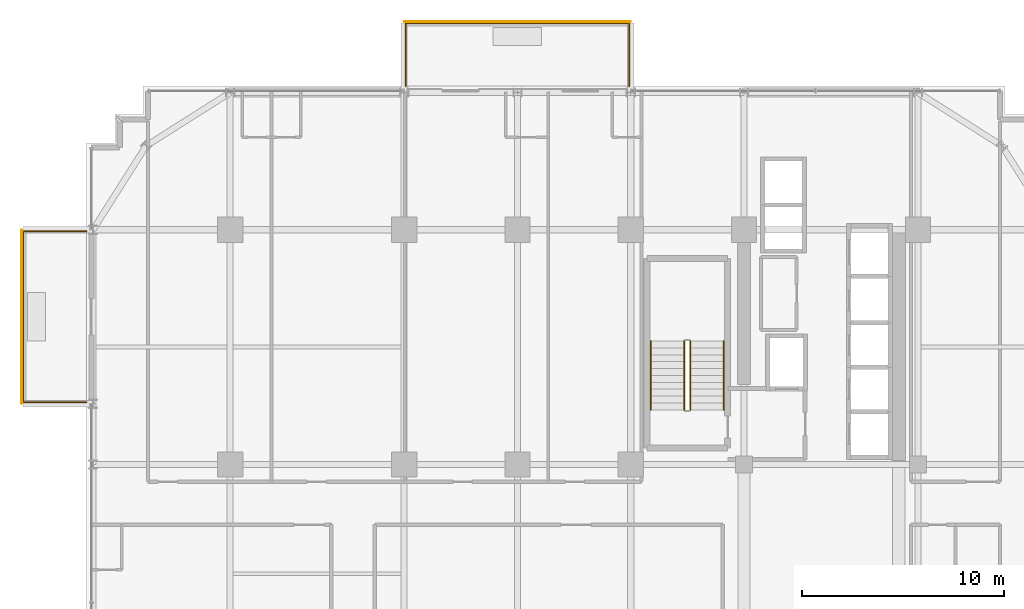
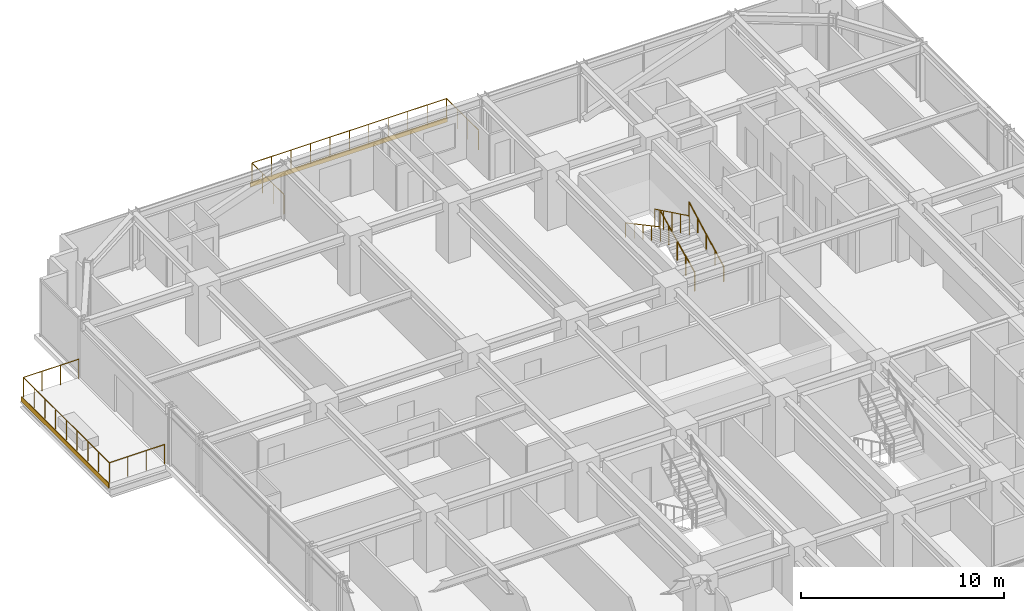
# One storey, part 37 of 39: 6 railings, 2 coverings.
"""IFC4 building model written with IfcOpenShell, lengths in metres."""

from ifc_helpers import new_model, si_unit, direction, frame, origin, origin_2d, place, context, subcontext, project, spatial, rectangle, circle, extrude, source, transform, mapped, material, layer, layer_set, type_object, element, save


model = new_model("IFC4")

# Units and contexts
model_context = context("Model", 3, precision=1e-05, world=origin(), true_north=direction((0.0, 1.0)))
body_context = subcontext(model_context, "Body", "Model", "MODEL_VIEW")
ifc_project = project(units=[si_unit("LENGTHUNIT", "METRE"), si_unit("AREAUNIT", "SQUARE_METRE"), si_unit("VOLUMEUNIT", "CUBIC_METRE"), si_unit("PLANEANGLEUNIT", "RADIAN"), si_unit("MASSUNIT", "GRAM", prefix="KILO")], contexts=[model_context])

# Site, building, storey
site_placement = place(None, origin())
site = spatial("IfcSite", under=ifc_project, at=site_placement, CompositionType="ELEMENT")
building_placement = place(site_placement, origin())
building = spatial("IfcBuilding", under=site, at=building_placement, Name="Nahalor Promenade Grand Hotel", CompositionType="ELEMENT")
storey_placement = place(building_placement, frame((0.0, 0.0, 135.75)))
storey = spatial("IfcBuildingStorey", under=building, at=storey_placement, Name="L34", CompositionType="ELEMENT", Elevation=135.75)

# Railings
ifc_material_1 = material(Name="Anodised Bronze Aluminium EN AW-6063 T6", Category="aluminium")
railing_type_1 = type_object("IfcRailingType", Name="Bronze Balcony Guardrail 1200 mm", PredefinedType="GUARDRAIL", material=ifc_material_1)
railing_1_placement = place(storey_placement, frame((-8.320068359375, 24.10009765625, 0.0)))
element("IfcRailing", 1, at=railing_1_placement, inside=storey, type_object=railing_type_1, Name="L34 Balcony Guardrail 1", PredefinedType="GUARDRAIL", context=body_context, shape_type="SweptSolid", body=[
    extrude(circle(Radius=0.024048, at=origin_2d()), frame((0.0, 0.0, 1.17578125), z_axis=(0.0, 1.0, 0.0), x_axis=(-1.0, 0.0, 0.0)), (0.0, 0.0, 1.0), 3.117919921875),
    extrude(circle(Radius=0.024048, at=origin_2d()), frame((0.001953125, 3.119873046875, 1.17578125), z_axis=(1.0, 0.0, 0.0), x_axis=(0.0, 1.0, 0.0)), (0.0, 0.0, 1.0), 11.0361328125),
    extrude(circle(Radius=0.024048, at=origin_2d()), frame((11.0400390625, 3.117919921875, 1.17578125), z_axis=(0.0, -1.0, 0.0), x_axis=(1.0, 0.0, 0.0)), (0.0, 0.0, 1.0), 3.117919921875),
    extrude(circle(Radius=0.020996, at=origin_2d()), origin(), (0.0, 0.0, 1.0), 1.14990234375),
    extrude(circle(Radius=0.020996, at=origin_2d()), frame((0.0, 1.0400390625, 0.0)), (0.0, 0.0, 1.0), 1.14990234375),
    extrude(circle(Radius=0.020996, at=origin_2d()), frame((0.0, 2.079833984375, 0.0)), (0.0, 0.0, 1.0), 1.14990234375),
    extrude(circle(Radius=0.020996, at=origin_2d()), frame((0.0, 3.119873046875, 0.0)), (0.0, 0.0, 1.0), 1.14990234375),
    extrude(circle(Radius=0.020996, at=origin_2d()), frame((1.10400390625, 3.119873046875, 0.0)), (0.0, 0.0, 1.0), 1.14990234375),
    extrude(circle(Radius=0.020996, at=origin_2d()), frame((2.2080078125, 3.119873046875, 0.0)), (0.0, 0.0, 1.0), 1.14990234375),
    extrude(circle(Radius=0.020996, at=origin_2d()), frame((3.31201171875, 3.119873046875, 0.0)), (0.0, 0.0, 1.0), 1.14990234375),
    extrude(circle(Radius=0.020996, at=origin_2d()), frame((4.416015625, 3.119873046875, 0.0)), (0.0, 0.0, 1.0), 1.14990234375),
    extrude(circle(Radius=0.020996, at=origin_2d()), frame((5.52001953125, 3.119873046875, 0.0)), (0.0, 0.0, 1.0), 1.14990234375),
    extrude(circle(Radius=0.020996, at=origin_2d()), frame((6.6240234375, 3.119873046875, 0.0)), (0.0, 0.0, 1.0), 1.14990234375),
    extrude(circle(Radius=0.020996, at=origin_2d()), frame((7.72802734375, 3.119873046875, 0.0)), (0.0, 0.0, 1.0), 1.14990234375),
    extrude(circle(Radius=0.020996, at=origin_2d()), frame((8.83203125, 3.119873046875, 0.0)), (0.0, 0.0, 1.0), 1.14990234375),
    extrude(circle(Radius=0.020996, at=origin_2d()), frame((9.93603515625, 3.119873046875, 0.0)), (0.0, 0.0, 1.0), 1.14990234375),
    extrude(circle(Radius=0.020996, at=origin_2d()), frame((11.0400390625, 3.119873046875, 0.0)), (0.0, 0.0, 1.0), 1.14990234375),
    extrude(circle(Radius=0.020996, at=origin_2d()), frame((11.0400390625, 2.079833984375, 0.0)), (0.0, 0.0, 1.0), 1.14990234375),
    extrude(circle(Radius=0.020996, at=origin_2d()), frame((11.0400390625, 1.0400390625, 0.0)), (0.0, 0.0, 1.0), 1.14990234375),
    extrude(circle(Radius=0.020996, at=origin_2d()), frame((11.0400390625, 0.0, 0.0)), (0.0, 0.0, 1.0), 1.14990234375),
])
railing_2_placement = place(storey_placement, frame((-24.10009765625, 8.47998046875, 0.0)))
element("IfcRailing", 2, at=railing_2_placement, inside=storey, type_object=railing_type_1, Name="L34 Balcony Guardrail 2", PredefinedType="GUARDRAIL", context=body_context, shape_type="SweptSolid", body=[
    extrude(circle(Radius=0.024048, at=origin_2d()), frame((0.0, 0.0, 1.17578125), z_axis=(-1.0, 0.0, 0.0), x_axis=(0.0, -1.0, 0.0)), (0.0, 0.0, 1.0), 3.137939453125),
    extrude(circle(Radius=0.024048, at=origin_2d()), frame((-3.139892578125, 0.001953125, 1.17578125), z_axis=(0.0, 1.0, 0.0), x_axis=(-1.0, 0.0, 0.0)), (0.0, 0.0, 1.0), 8.43603515625),
    extrude(circle(Radius=0.024048, at=origin_2d()), frame((-3.137939453125, 8.43994140625, 1.17578125), z_axis=(1.0, 0.0, 0.0), x_axis=(0.0, 1.0, 0.0)), (0.0, 0.0, 1.0), 3.137939453125),
    extrude(circle(Radius=0.020996, at=origin_2d()), origin(), (0.0, 0.0, 1.0), 1.14990234375),
    extrude(circle(Radius=0.020996, at=origin_2d()), frame((-1.046630859375, 0.0, 0.0)), (0.0, 0.0, 1.0), 1.14990234375),
    extrude(circle(Radius=0.020996, at=origin_2d()), frame((-2.09326171875, 0.0, 0.0)), (0.0, 0.0, 1.0), 1.14990234375),
    extrude(circle(Radius=0.020996, at=origin_2d()), frame((-3.139892578125, 0.0, 0.0)), (0.0, 0.0, 1.0), 1.14990234375),
    extrude(circle(Radius=0.020996, at=origin_2d()), frame((-3.139892578125, 1.054931640625, 0.0)), (0.0, 0.0, 1.0), 1.14990234375),
    extrude(circle(Radius=0.020996, at=origin_2d()), frame((-3.139892578125, 2.10986328125, 0.0)), (0.0, 0.0, 1.0), 1.14990234375),
    extrude(circle(Radius=0.020996, at=origin_2d()), frame((-3.139892578125, 3.1650390625, 0.0)), (0.0, 0.0, 1.0), 1.14990234375),
    extrude(circle(Radius=0.020996, at=origin_2d()), frame((-3.139892578125, 4.219970703125, 0.0)), (0.0, 0.0, 1.0), 1.14990234375),
    extrude(circle(Radius=0.020996, at=origin_2d()), frame((-3.139892578125, 5.27490234375, 0.0)), (0.0, 0.0, 1.0), 1.14990234375),
    extrude(circle(Radius=0.020996, at=origin_2d()), frame((-3.139892578125, 6.330078125, 0.0)), (0.0, 0.0, 1.0), 1.14990234375),
    extrude(circle(Radius=0.020996, at=origin_2d()), frame((-3.139892578125, 7.385009765625, 0.0)), (0.0, 0.0, 1.0), 1.14990234375),
    extrude(circle(Radius=0.020996, at=origin_2d()), frame((-3.139892578125, 8.43994140625, 0.0)), (0.0, 0.0, 1.0), 1.14990234375),
    extrude(circle(Radius=0.020996, at=origin_2d()), frame((-2.09326171875, 8.43994140625, 0.0)), (0.0, 0.0, 1.0), 1.14990234375),
    extrude(circle(Radius=0.020996, at=origin_2d()), frame((-1.046630859375, 8.43994140625, 0.0)), (0.0, 0.0, 1.0), 1.14990234375),
    extrude(circle(Radius=0.020996, at=origin_2d()), frame((0.0, 8.43994140625, 0.0)), (0.0, 0.0, 1.0), 1.14990234375),
])
ifc_material_2 = material(Name="Steel S355JR", Category="steel")
railing_type_2 = type_object("IfcRailingType", Name="Steel Stair Guardrail 1150 mm", PredefinedType="GUARDRAIL", material=ifc_material_2)
railing_3_placement = place(storey_placement, frame((5.75, 8.10009765625, 0.166015625)))
element("IfcRailing", 3, at=railing_3_placement, inside=storey, type_object=railing_type_2, Name="L34 ST1 stair guard 1", PredefinedType="GUARDRAIL", context=body_context, shape_type="SweptSolid", body=[
    extrude(circle(Radius=0.024048, at=origin_2d()), frame((0.0, 0.0, 1.1259765625), z_axis=(0.0, 0.898721922897, 0.438518990814), x_axis=(-1.0, 0.0, 0.0)), (0.0, 0.0, 1.0), 3.782958984375),
    extrude(circle(Radius=0.020996, at=origin_2d()), origin(), (0.0, 0.0, 1.0), 1.099853515625),
    extrude(circle(Radius=0.020996, at=origin_2d()), frame((0.0, 0.85009765625, 0.414794921875)), (0.0, 0.0, 1.0), 1.099853515625),
    extrude(circle(Radius=0.020996, at=origin_2d()), frame((0.0, 1.699951171875, 0.82958984375)), (0.0, 0.0, 1.0), 1.099853515625),
    extrude(circle(Radius=0.020996, at=origin_2d()), frame((0.0, 2.5498046875, 1.244140625)), (0.0, 0.0, 1.0), 1.099853515625),
    extrude(circle(Radius=0.020996, at=origin_2d()), frame((0.0, 3.39990234375, 1.658935546875)), (0.0, 0.0, 1.0), 1.099853515625),
])
railing_4_placement = place(storey_placement, frame((5.449951171875, 11.5, 1.990966796875)))
element("IfcRailing", 4, at=railing_4_placement, inside=storey, type_object=railing_type_2, Name="L34 ST1 stair guard 3", PredefinedType="GUARDRAIL", context=body_context, shape_type="SweptSolid", body=[
    extrude(circle(Radius=0.024048, at=origin_2d()), frame((0.0, 0.0, 1.1259765625), z_axis=(0.0, -0.898721922897, 0.438518990814), x_axis=(1.0, 0.0, 0.0)), (0.0, 0.0, 1.0), 3.782958984375),
    extrude(circle(Radius=0.020996, at=origin_2d()), origin(), (0.0, 0.0, 1.0), 1.099853515625),
    extrude(circle(Radius=0.020996, at=origin_2d()), frame((0.0, -0.85009765625, 0.414794921875)), (0.0, 0.0, 1.0), 1.099853515625),
    extrude(circle(Radius=0.020996, at=origin_2d()), frame((0.0, -1.699951171875, 0.82958984375)), (0.0, 0.0, 1.0), 1.099853515625),
    extrude(circle(Radius=0.020996, at=origin_2d()), frame((0.0, -2.5498046875, 1.244140625)), (0.0, 0.0, 1.0), 1.099853515625),
    extrude(circle(Radius=0.020996, at=origin_2d()), frame((0.0, -3.39990234375, 1.658935546875)), (0.0, 0.0, 1.0), 1.099853515625),
])
railing_type_3 = type_object("IfcRailingType", Name="Steel Stair Handrail 900 mm", PredefinedType="HANDRAIL", material=ifc_material_2)
railing_5_placement = place(storey_placement, frame((7.39990234375, 8.10009765625, 0.166015625)))
element("IfcRailing", 5, at=railing_5_placement, inside=storey, type_object=railing_type_3, Name="L34 ST1 stair handrail 1", PredefinedType="HANDRAIL", context=body_context, shape_type="SweptSolid", body=[
    extrude(circle(Radius=0.024048, at=origin_2d()), frame((0.0, 0.0, 0.8759765625), z_axis=(0.0, 0.881094038095, 0.47294111265), x_axis=(-1.0, 0.0, 0.0)), (0.0, 0.0, 1.0), 3.858642578125),
    extrude(circle(Radius=0.020996, at=origin_2d()), origin(), (0.0, 0.0, 1.0), 0.849853515625),
    extrude(circle(Radius=0.020996, at=origin_2d()), frame((0.0, 0.85009765625, 0.456298828125)), (0.0, 0.0, 1.0), 0.849853515625),
    extrude(circle(Radius=0.020996, at=origin_2d()), frame((0.0, 1.699951171875, 0.91259765625)), (0.0, 0.0, 1.0), 0.849853515625),
    extrude(circle(Radius=0.020996, at=origin_2d()), frame((0.0, 2.5498046875, 1.36865234375)), (0.0, 0.0, 1.0), 0.849853515625),
    extrude(circle(Radius=0.020996, at=origin_2d()), frame((0.0, 3.39990234375, 1.824951171875)), (0.0, 0.0, 1.0), 0.849853515625),
])
railing_6_placement = place(storey_placement, frame((3.800048828125, 11.5, 1.990966796875)))
element("IfcRailing", 6, at=railing_6_placement, inside=storey, type_object=railing_type_3, Name="L34 ST1 stair handrail 2", PredefinedType="HANDRAIL", context=body_context, shape_type="SweptSolid", body=[
    extrude(circle(Radius=0.024048, at=origin_2d()), frame((0.0, 0.0, 0.8759765625), z_axis=(0.0, -0.881094038095, 0.47294111265), x_axis=(1.0, 0.0, 0.0)), (0.0, 0.0, 1.0), 3.858642578125),
    extrude(circle(Radius=0.020996, at=origin_2d()), origin(), (0.0, 0.0, 1.0), 0.849853515625),
    extrude(circle(Radius=0.020996, at=origin_2d()), frame((0.0, -0.85009765625, 0.456298828125)), (0.0, 0.0, 1.0), 0.849853515625),
    extrude(circle(Radius=0.020996, at=origin_2d()), frame((0.0, -1.699951171875, 0.91259765625)), (0.0, 0.0, 1.0), 0.849853515625),
    extrude(circle(Radius=0.020996, at=origin_2d()), frame((0.0, -2.5498046875, 1.36865234375)), (0.0, 0.0, 1.0), 0.849853515625),
    extrude(circle(Radius=0.020996, at=origin_2d()), frame((0.0, -3.39990234375, 1.824951171875)), (0.0, 0.0, 1.0), 0.849853515625),
])

# Coverings
ifc_layer = layer(ifc_material_1, 0.0400390625)
ifc_layer_set = layer_set([ifc_layer], Name="Anodised Bronze Aluminium EN AW-6063 T6")
covering_type = type_object("IfcCoveringType", Name="Bronze Spandrel Cladding Panel", PredefinedType="CLADDING", material=ifc_layer_set)
shared_shape_1 = source(origin(), body_context, "Body", "SweptSolid", [
    extrude(rectangle(XDim=11.199951171875, YDim=0.0400390625, at=origin_2d()), origin(), (0.0, 0.0, 1.0), 0.280029296875),
])
covering_1_placement = place(storey_placement, frame((-2.800048828125, 27.280029296875, -0.27978515625), z_axis=(0.0, 0.0, 1.0), x_axis=(1.0, 0.0, 0.0)))
element("IfcCovering", 7, at=covering_1_placement, inside=storey, type_object=covering_type, Name="CL-L34-BALC-01", PredefinedType="CLADDING", context=body_context, shape_type="MappedRepresentation", body=[
    mapped(shared_shape_1, transform((0.0, 0.0, 0.0), scale=1.0)),
])
shared_shape_2 = source(origin(), body_context, "Body", "SweptSolid", [
    extrude(rectangle(XDim=8.60009765625, YDim=0.0400390625, at=origin_2d()), origin(), (0.0, 0.0, 1.0), 0.280029296875),
])
covering_2_placement = place(storey_placement, frame((-27.300048828125, 12.699951171875, -0.27978515625), z_axis=(0.0, 0.0, 1.0), x_axis=(0.0, 1.0, 0.0)))
element("IfcCovering", 8, at=covering_2_placement, inside=storey, type_object=covering_type, Name="CL-L34-BALC-02", PredefinedType="CLADDING", context=body_context, shape_type="MappedRepresentation", body=[
    mapped(shared_shape_2, transform((0.0, 0.0, 0.0), scale=1.0)),
])

save(model, "model.ifc")
